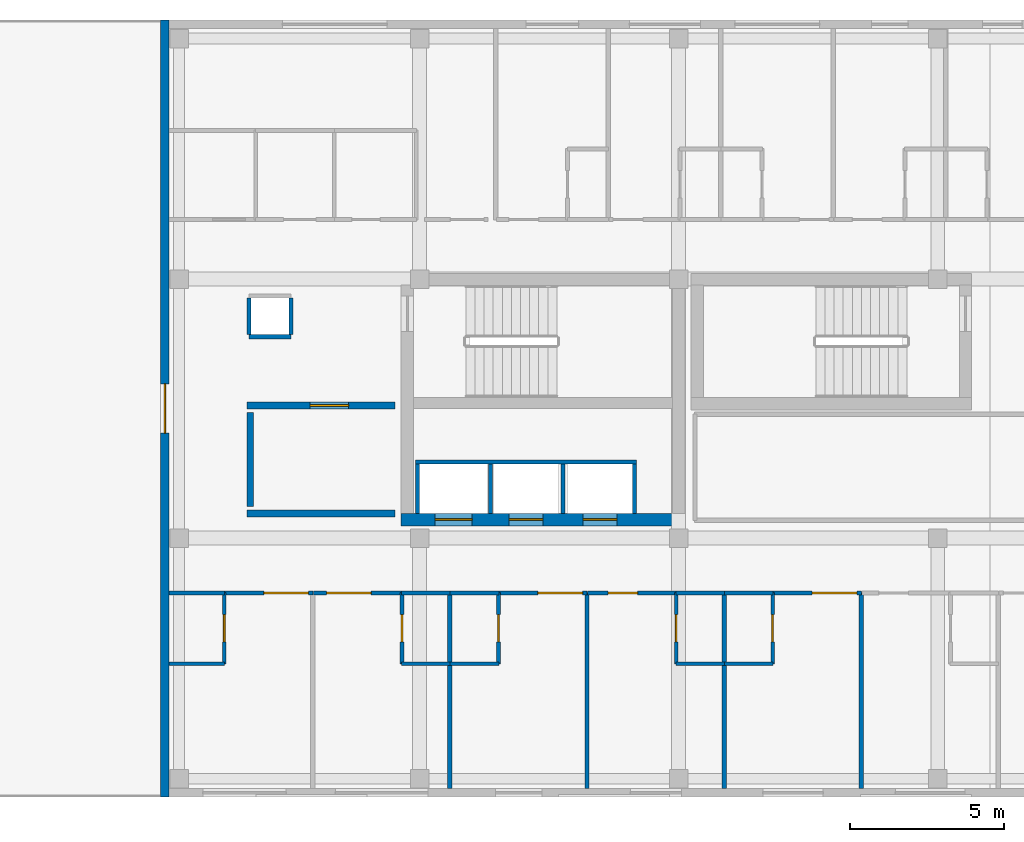
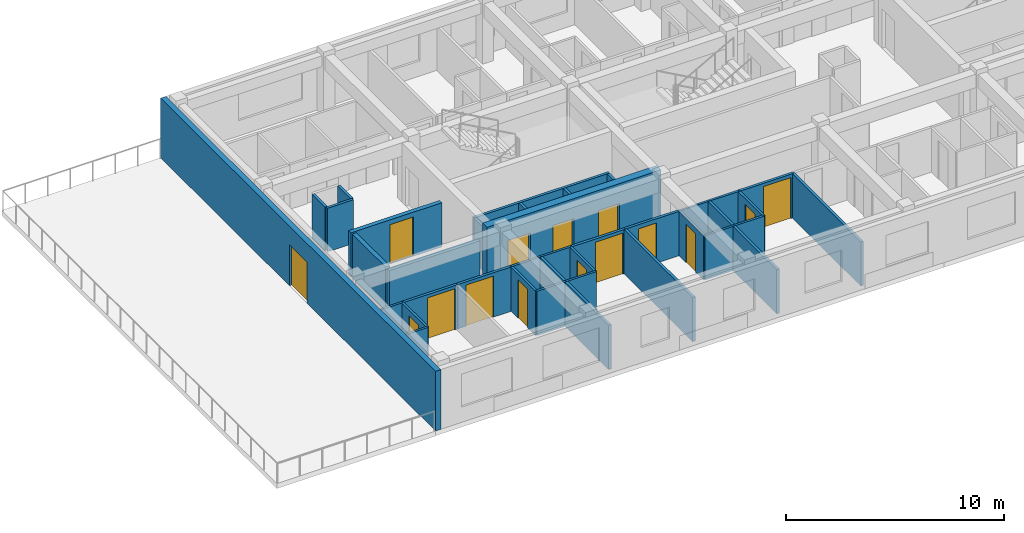
# One storey, part 2 of 10: 37 walls, 15 doors, 15 openings.
"""IFC4 building model written with IfcOpenShell, lengths in metres."""

from ifc_helpers import new_model, si_unit, direction, frame, frame_2d, origin, place, context, subcontext, project, spatial, rectangle, extrude, material, layer, layer_set, type_object, element, fill, save


model = new_model("IFC4")

# Units and contexts
model_context = context("Model", 3, precision=1e-05, world=origin(), true_north=direction((0.0, 1.0)))
body_context = subcontext(model_context, "Body", "Model", "MODEL_VIEW")
ifc_project = project(units=[si_unit("LENGTHUNIT", "METRE"), si_unit("AREAUNIT", "SQUARE_METRE"), si_unit("VOLUMEUNIT", "CUBIC_METRE"), si_unit("PLANEANGLEUNIT", "RADIAN"), si_unit("MASSUNIT", "GRAM", prefix="KILO")], contexts=[model_context])

# Site, building, storey
site_placement = place(None, origin())
site = spatial("IfcSite", under=ifc_project, at=site_placement, CompositionType="ELEMENT")
building_placement = place(site_placement, origin())
building = spatial("IfcBuilding", under=site, at=building_placement, Name="Zayran Congress Hotel", CompositionType="ELEMENT")
storey_placement = place(building_placement, frame((0.0, 0.0, 33.60009765625)))
storey = spatial("IfcBuildingStorey", under=building, at=storey_placement, Name="L08", CompositionType="ELEMENT", Elevation=33.60009765625)

# Wall, opening, door
ifc_material_1 = material(Name="Hajar Ma'ani limestone cavity wall and concrete C32/40", Category="masonry")
ifc_layer_1 = layer(ifc_material_1, 0.280029296875)
ifc_layer_set_1 = layer_set([ifc_layer_1], Name="Hajar Ma'ani limestone cavity wall and concrete C32/40")
wall_type_1 = type_object("IfcWallType", Name="WL-EX-280", PredefinedType="SOLIDWALL", material=ifc_layer_set_1)
wall_1_placement = place(storey_placement, frame((16.93994140625, 8.800048828125, 0.0), z_axis=(0.0, 0.0, 1.0), x_axis=(0.0, 1.0, 0.0)))
wall_1 = element("IfcWall", 1, at=wall_1_placement, inside=storey, type_object=wall_type_1, Name="EW-V5-W-L08", PredefinedType="SOLIDWALL", context=body_context, shape_type="SweptSolid", body=[
    extrude(rectangle(XDim=25.199951171875, YDim=0.280029296875, at=frame_2d((12.60009765625, 0.0))), origin(), (0.0, 0.0, 1.0), 3.33984375),
])
opening_1_placement = place(wall_1_placement, frame((11.800048828125, 0.0, 0.0)))
opening_1 = element("IfcOpeningElement", 2, at=opening_1_placement, cuts=wall_1, Name="Opening DEX-04", PredefinedType="OPENING", context=body_context, shape_type="SweptSolid", body=[
    extrude(rectangle(XDim=1.60009765625, YDim=2.300048828125, at=frame_2d((0.800048828125, 1.14990234375))), frame((0.0, 0.14990234375, 0.0), z_axis=(0.0, -1.0, 0.0), x_axis=(1.0, 0.0, 0.0)), (0.0, 0.0, 1.0), 0.300048828125),
])
ifc_material_2 = material(Name="Anodised aluminium terrace door", Category="aluminium")
door_type_1 = type_object("IfcDoorType", Name="TP-DEX-04", OperationType="DOUBLE_DOOR_SINGLE_SWING", PredefinedType="DOOR", material=ifc_material_2)
door_1_placement = place(opening_1_placement, origin())
door_1 = element("IfcDoor", 3, at=door_1_placement, inside=storey, type_object=door_type_1, Name="L08 West Planted Roof Terrace Door", OperationType="DOUBLE_DOOR_SINGLE_SWING", OverallHeight=2.300048828125, OverallWidth=1.60009765625, PredefinedType="DOOR", context=body_context, shape_type="SweptSolid", body=[
    extrude(rectangle(XDim=1.60009765625, YDim=2.300048828125, at=frame_2d((0.800048828125, 1.14990234375))), frame((0.0, 0.02490234375, 0.0), z_axis=(0.0, -1.0, 0.0), x_axis=(1.0, 0.0, 0.0)), (0.0, 0.0, 1.0), 0.050048828125),
])
fill(opening_1, door_1)

# Wall, openings, doors
ifc_material_3 = material(Name="Concrete C40/50", Category="concrete")
ifc_layer_2 = layer(ifc_material_3, 0.39990234375)
ifc_layer_set_2 = layer_set([ifc_layer_2], Name="Concrete C40/50")
wall_type_2 = type_object("IfcWallType", Name="WL-SH-400", PredefinedType="SHEAR", material=ifc_layer_set_2)
wall_2_placement = place(storey_placement, frame((24.60009765625, 17.800048828125, 0.0), z_axis=(0.0, 0.0, 1.0), x_axis=(1.0, 0.0, 0.0)))
wall_2 = element("IfcWall", 4, at=wall_2_placement, inside=storey, type_object=wall_type_2, Name="CWALL-C-V5W-L08-S", PredefinedType="SHEAR", context=body_context, shape_type="SweptSolid", body=[
    extrude(rectangle(XDim=9.199951171875, YDim=0.39990234375, at=frame_2d((4.60009765625, 0.0))), origin(), (0.0, 0.0, 1.0), 3.31982421875),
])
opening_2_placement = place(wall_2_placement, frame((1.10009765625, 0.0, 0.0)))
opening_2 = element("IfcOpeningElement", 5, at=opening_2_placement, cuts=wall_2, Name="Opening LD-FL01", PredefinedType="OPENING", context=body_context, shape_type="SweptSolid", body=[
    extrude(rectangle(XDim=1.199951171875, YDim=2.199951171875, at=frame_2d((0.60009765625, 1.10009765625))), frame((0.0, 0.2099609375, 0.0), z_axis=(0.0, -1.0, 0.0), x_axis=(1.0, 0.0, 0.0)), (0.0, 0.0, 1.0), 0.419921875),
])
opening_3_placement = place(wall_2_placement, frame((3.5, 0.0, 0.0)))
opening_3 = element("IfcOpeningElement", 6, at=opening_3_placement, cuts=wall_2, Name="Opening LD-PL01", PredefinedType="OPENING", context=body_context, shape_type="SweptSolid", body=[
    extrude(rectangle(XDim=1.10009765625, YDim=2.199951171875, at=frame_2d((0.550048828125, 1.10009765625))), frame((0.0, 0.2099609375, 0.0), z_axis=(0.0, -1.0, 0.0), x_axis=(1.0, 0.0, 0.0)), (0.0, 0.0, 1.0), 0.419921875),
])
opening_4_placement = place(wall_2_placement, frame((5.89990234375, 0.0, 0.0)))
opening_4 = element("IfcOpeningElement", 7, at=opening_4_placement, cuts=wall_2, Name="Opening LD-PL02", PredefinedType="OPENING", context=body_context, shape_type="SweptSolid", body=[
    extrude(rectangle(XDim=1.10009765625, YDim=2.199951171875, at=frame_2d((0.550048828125, 1.10009765625))), frame((0.0, 0.2099609375, 0.0), z_axis=(0.0, -1.0, 0.0), x_axis=(1.0, 0.0, 0.0)), (0.0, 0.0, 1.0), 0.419921875),
])
ifc_material_4 = material(Name="Brushed stainless steel sliding lift landing door", Category="steel")
door_type_2 = type_object("IfcDoorType", Name="TP-DR-LD-01", OperationType="DOUBLE_DOOR_SLIDING", PredefinedType="DOOR", material=ifc_material_4)
door_2_placement = place(opening_3_placement, origin())
door_2 = element("IfcDoor", 8, at=door_2_placement, inside=storey, type_object=door_type_2, Name="Lift PL-01 Sliding Landing Door L08", OperationType="DOUBLE_DOOR_SLIDING", OverallHeight=2.199951171875, OverallWidth=1.10009765625, PredefinedType="DOOR", context=body_context, shape_type="SweptSolid", body=[
    extrude(rectangle(XDim=1.10009765625, YDim=2.199951171875, at=frame_2d((0.550048828125, 1.10009765625))), frame((0.0, 0.02490234375, 0.0), z_axis=(0.0, -1.0, 0.0), x_axis=(1.0, 0.0, 0.0)), (0.0, 0.0, 1.0), 0.050048828125),
])
fill(opening_3, door_2)
door_3_placement = place(opening_4_placement, origin())
door_3 = element("IfcDoor", 9, at=door_3_placement, inside=storey, type_object=door_type_2, Name="Lift PL-02 Sliding Landing Door L08", OperationType="DOUBLE_DOOR_SLIDING", OverallHeight=2.199951171875, OverallWidth=1.10009765625, PredefinedType="DOOR", context=body_context, shape_type="SweptSolid", body=[
    extrude(rectangle(XDim=1.10009765625, YDim=2.199951171875, at=frame_2d((0.550048828125, 1.10009765625))), frame((0.0, 0.02490234375, 0.0), z_axis=(0.0, -1.0, 0.0), x_axis=(1.0, 0.0, 0.0)), (0.0, 0.0, 1.0), 0.050048828125),
])
fill(opening_4, door_3)
ifc_material_5 = material(Name="Brushed stainless steel firefighting lift landing door", Category="steel")
door_type_3 = type_object("IfcDoorType", Name="TP-DR-LD-02", OperationType="DOUBLE_DOOR_SLIDING", PredefinedType="DOOR", material=ifc_material_5)
door_4_placement = place(opening_2_placement, origin())
door_4 = element("IfcDoor", 10, at=door_4_placement, inside=storey, type_object=door_type_3, Name="Lift FL-01 Sliding Landing Door L08", OperationType="DOUBLE_DOOR_SLIDING", OverallHeight=2.199951171875, OverallWidth=1.199951171875, PredefinedType="DOOR", context=body_context, shape_type="SweptSolid", body=[
    extrude(rectangle(XDim=1.199951171875, YDim=2.199951171875, at=frame_2d((0.60009765625, 1.10009765625))), frame((0.0, 0.02490234375, 0.0), z_axis=(0.0, -1.0, 0.0), x_axis=(1.0, 0.0, 0.0)), (0.0, 0.0, 1.0), 0.050048828125),
])
fill(opening_2, door_4)

# Wall
ifc_material_6 = material(Name="Concrete C32/40 fire wall", Category="concrete")
ifc_layer_3 = layer(ifc_material_6, 0.219970703125)
ifc_layer_set_3 = layer_set([ifc_layer_3], Name="Concrete C32/40 fire wall")
wall_type_3 = type_object("IfcWallType", Name="WL-FF-220", PredefinedType="SOLIDWALL", material=ifc_layer_set_3)
wall_3_placement = place(storey_placement, frame((19.60009765625, 18.0, 0.0), z_axis=(0.0, 0.0, 1.0), x_axis=(1.0, 0.0, 0.0)))
element("IfcWall", 11, at=wall_3_placement, inside=storey, type_object=wall_type_3, Name="FFWL-C-V5W-L08-S", PredefinedType="SOLIDWALL", context=body_context, shape_type="SweptSolid", body=[
    extrude(rectangle(XDim=4.7998046875, YDim=0.219970703125, at=frame_2d((2.39990234375, 0.0))), origin(), (0.0, 0.0, 1.0), 2.469970703125),
])

# Wall, opening, door
wall_4_placement = place(storey_placement, frame((19.60009765625, 21.5, 0.0), z_axis=(0.0, 0.0, 1.0), x_axis=(1.0, 0.0, 0.0)))
wall_4 = element("IfcWall", 12, at=wall_4_placement, inside=storey, type_object=wall_type_3, Name="FFWL-C-V5W-L08-N", PredefinedType="SOLIDWALL", context=body_context, shape_type="SweptSolid", body=[
    extrude(rectangle(XDim=4.7998046875, YDim=0.219970703125, at=frame_2d((2.39990234375, 0.0))), origin(), (0.0, 0.0, 1.0), 2.469970703125),
])
opening_5_placement = place(wall_4_placement, frame((2.050048828125, 0.0, 0.0)))
opening_5 = element("IfcOpeningElement", 13, at=opening_5_placement, cuts=wall_4, Name="Opening DR-FF-60", PredefinedType="OPENING", context=body_context, shape_type="SweptSolid", body=[
    extrude(rectangle(XDim=1.25, YDim=2.199951171875, at=frame_2d((0.625, 1.10009765625))), frame((0.0, 0.119873046875, 0.0), z_axis=(0.0, -1.0, 0.0), x_axis=(1.0, 0.0, 0.0)), (0.0, 0.0, 1.0), 0.239990234375),
])
ifc_material_7 = material(Name="Painted steel smoke-seal fire door", Category="steel")
door_type_4 = type_object("IfcDoorType", Name="TP-DR-FF-60", OperationType="NOTDEFINED", PredefinedType="DOOR", material=ifc_material_7)
door_5_placement = place(opening_5_placement, origin())
door_5 = element("IfcDoor", 14, at=door_5_placement, inside=storey, type_object=door_type_4, Name="Firefighting Lift Lobby Door C-V5W L08", OperationType="SINGLE_SWING_RIGHT", OverallHeight=2.199951171875, OverallWidth=1.25, PredefinedType="DOOR", context=body_context, shape_type="SweptSolid", body=[
    extrude(rectangle(XDim=1.25, YDim=2.199951171875, at=frame_2d((0.625, 1.10009765625))), frame((0.0, 0.02490234375, 0.0), z_axis=(0.0, -1.0, 0.0), x_axis=(1.0, 0.0, 0.0)), (0.0, 0.0, 1.0), 0.050048828125),
])
fill(opening_5, door_5)

# Walls
wall_5_placement = place(storey_placement, frame((19.7099609375, 18.219970703125, 0.0), z_axis=(0.0, 0.0, 1.0), x_axis=(0.0, 1.0, 0.0)))
element("IfcWall", 15, at=wall_5_placement, inside=storey, type_object=wall_type_3, Name="FFWL-C-V5W-L08-SD", PredefinedType="SOLIDWALL", context=body_context, shape_type="SweptSolid", body=[
    extrude(rectangle(XDim=3.06005859375, YDim=0.219970703125, at=frame_2d((1.530029296875, 0.0))), origin(), (0.0, 0.0, 1.0), 2.469970703125),
])
ifc_material_8 = material(Name="Hospitality guestroom acoustic partition", Category="gypsum")
ifc_layer_4 = layer(ifc_material_8, 0.139892578125)
ifc_layer_set_4 = layer_set([ifc_layer_4], Name="Hospitality guestroom acoustic partition")
wall_type_4 = type_object("IfcWallType", Name="WL-PT-140", PredefinedType="PARTITIONING", material=ifc_layer_set_4)
for number, where, z_axis, x_axis, name in (
    (16, (25.1298828125, 18.0, 0.0), (0.0, 0.0, 1.0), (0.0, 1.0, 0.0), "LSHW-C-V5W-L08-W"),
    (17, (27.5, 18.0, 0.0), (0.0, 0.0, 1.0), (0.0, 1.0, 0.0), "LSHW-C-V5W-L08-DIV1"),
    (18, (29.85009765625, 18.0, 0.0), (0.0, 0.0, 1.0), (0.0, 1.0, 0.0), "LSHW-C-V5W-L08-DIV2"),
    (19, (32.169921875, 18.0, 0.0), (0.0, 0.0, 1.0), (0.0, 1.0, 0.0), "LSHW-C-V5W-L08-E"),
):
    element("IfcWall", number, at=place(storey_placement, frame(where, z_axis=z_axis, x_axis=x_axis)), inside=storey, type_object=wall_type_4, Name=name, PredefinedType="PARTITIONING", context=body_context, shape_type="SweptSolid", body=[
        extrude(rectangle(XDim=1.60009765625, YDim=0.139892578125, at=frame_2d((0.800048828125, 0.0))), origin(), (0.0, 0.0, 1.0), 2.469970703125),
    ])
wall_6_placement = place(storey_placement, frame((25.06005859375, 19.669921875, 0.0), z_axis=(0.0, 0.0, 1.0), x_axis=(1.0, 0.0, 0.0)))
element("IfcWall", 20, at=wall_6_placement, inside=storey, type_object=wall_type_4, Name="LSHW-C-V5W-L08-N", PredefinedType="PARTITIONING", context=body_context, shape_type="SweptSolid", body=[
    extrude(rectangle(XDim=7.179931640625, YDim=0.139892578125, at=frame_2d((3.58984375, 0.0))), origin(), (0.0, 0.0, 1.0), 2.469970703125),
])

# Wall, opening, door
wall_7_placement = place(storey_placement, frame((18.864013671875, 15.419921875, 0.0), z_axis=(0.0, 0.0, 1.0), x_axis=(1.0, 0.0, 0.0)))
wall_7 = element("IfcWall", 21, at=wall_7_placement, inside=storey, type_object=wall_type_4, Name="IW-L08-0756", PredefinedType="PARTITIONING", context=body_context, shape_type="SweptSolid", body=[
    extrude(rectangle(XDim=2.8720703125, YDim=0.139892578125, at=frame_2d((1.43603515625, 0.0))), origin(), (0.0, 0.0, 1.0), 2.47998046875),
])
opening_6_placement = place(wall_7_placement, frame((1.281982421875, 0.0, 0.0)))
opening_6 = element("IfcOpeningElement", 22, at=opening_6_placement, cuts=wall_7, Name="Opening DR-ST-01", PredefinedType="OPENING", context=body_context, shape_type="SweptSolid", body=[
    extrude(rectangle(XDim=1.449951171875, YDim=2.300048828125, at=frame_2d((0.72509765625, 1.14990234375))), frame((0.0, 0.079833984375, 0.0), z_axis=(0.0, -1.0, 0.0), x_axis=(1.0, 0.0, 0.0)), (0.0, 0.0, 1.0), 0.159912109375),
])
ifc_material_9 = material(Name="Double walnut veneer suite entry door", Category="wood")
door_type_5 = type_object("IfcDoorType", Name="TP-DR-ST-01", OperationType="DOUBLE_DOOR_SINGLE_SWING", PredefinedType="DOOR", material=ifc_material_9)
door_6_placement = place(opening_6_placement, origin())
door_6 = element("IfcDoor", 23, at=door_6_placement, inside=storey, type_object=door_type_5, Name="Executive Suite L08-01 Door", OperationType="DOUBLE_DOOR_SINGLE_SWING", OverallHeight=2.300048828125, OverallWidth=1.449951171875, PredefinedType="DOOR", context=body_context, shape_type="SweptSolid", body=[
    extrude(rectangle(XDim=1.449951171875, YDim=2.300048828125, at=frame_2d((0.72509765625, 1.14990234375))), frame((0.0, 0.02490234375, 0.0), z_axis=(0.0, -1.0, 0.0), x_axis=(1.0, 0.0, 0.0)), (0.0, 0.0, 1.0), 0.050048828125),
])
fill(opening_6, door_6)

wall_8_placement = place(storey_placement, frame((21.756103515625, 15.419921875, 0.0), z_axis=(0.0, 0.0, 1.0), x_axis=(1.0, 0.0, 0.0)))
wall_8 = element("IfcWall", 24, at=wall_8_placement, inside=storey, type_object=wall_type_4, Name="IW-L08-0757", PredefinedType="PARTITIONING", context=body_context, shape_type="SweptSolid", body=[
    extrude(rectangle(XDim=2.871826171875, YDim=0.139892578125, at=frame_2d((1.43603515625, 0.0))), origin(), (0.0, 0.0, 1.0), 2.47998046875),
])
opening_7_placement = place(wall_8_placement, frame((0.425048828125, 0.0, 0.0)))
opening_7 = element("IfcOpeningElement", 25, at=opening_7_placement, cuts=wall_8, Name="Opening DR-ST-01", PredefinedType="OPENING", context=body_context, shape_type="SweptSolid", body=[
    extrude(rectangle(XDim=1.449951171875, YDim=2.300048828125, at=frame_2d((0.72509765625, 1.14990234375))), frame((0.0, 0.079833984375, 0.0), z_axis=(0.0, -1.0, 0.0), x_axis=(1.0, 0.0, 0.0)), (0.0, 0.0, 1.0), 0.159912109375),
])
door_7_placement = place(opening_7_placement, origin())
door_7 = element("IfcDoor", 26, at=door_7_placement, inside=storey, type_object=door_type_5, Name="Executive Suite L08-02 Door", OperationType="DOUBLE_DOOR_SINGLE_SWING", OverallHeight=2.300048828125, OverallWidth=1.449951171875, PredefinedType="DOOR", context=body_context, shape_type="SweptSolid", body=[
    extrude(rectangle(XDim=1.449951171875, YDim=2.300048828125, at=frame_2d((0.72509765625, 1.14990234375))), frame((0.0, 0.02490234375, 0.0), z_axis=(0.0, -1.0, 0.0), x_axis=(1.0, 0.0, 0.0)), (0.0, 0.0, 1.0), 0.050048828125),
])
fill(opening_7, door_7)

wall_9_placement = place(storey_placement, frame((27.756103515625, 15.419921875, 0.0), z_axis=(0.0, 0.0, 1.0), x_axis=(1.0, 0.0, 0.0)))
wall_9 = element("IfcWall", 27, at=wall_9_placement, inside=storey, type_object=wall_type_4, Name="IW-L08-0758", PredefinedType="PARTITIONING", context=body_context, shape_type="SweptSolid", body=[
    extrude(rectangle(XDim=2.871826171875, YDim=0.139892578125, at=frame_2d((1.43603515625, 0.0))), origin(), (0.0, 0.0, 1.0), 2.47998046875),
])
opening_8_placement = place(wall_9_placement, frame((1.281982421875, 0.0, 0.0)))
opening_8 = element("IfcOpeningElement", 28, at=opening_8_placement, cuts=wall_9, Name="Opening DR-ST-01", PredefinedType="OPENING", context=body_context, shape_type="SweptSolid", body=[
    extrude(rectangle(XDim=1.449951171875, YDim=2.300048828125, at=frame_2d((0.72509765625, 1.14990234375))), frame((0.0, 0.079833984375, 0.0), z_axis=(0.0, -1.0, 0.0), x_axis=(1.0, 0.0, 0.0)), (0.0, 0.0, 1.0), 0.159912109375),
])
door_8_placement = place(opening_8_placement, origin())
door_8 = element("IfcDoor", 29, at=door_8_placement, inside=storey, type_object=door_type_5, Name="Executive Suite L08-03 Door", OperationType="DOUBLE_DOOR_SINGLE_SWING", OverallHeight=2.300048828125, OverallWidth=1.449951171875, PredefinedType="DOOR", context=body_context, shape_type="SweptSolid", body=[
    extrude(rectangle(XDim=1.449951171875, YDim=2.300048828125, at=frame_2d((0.72509765625, 1.14990234375))), frame((0.0, 0.02490234375, 0.0), z_axis=(0.0, -1.0, 0.0), x_axis=(1.0, 0.0, 0.0)), (0.0, 0.0, 1.0), 0.050048828125),
])
fill(opening_8, door_8)

wall_10_placement = place(storey_placement, frame((30.64794921875, 15.419921875, 0.0), z_axis=(0.0, 0.0, 1.0), x_axis=(1.0, 0.0, 0.0)))
wall_10 = element("IfcWall", 30, at=wall_10_placement, inside=storey, type_object=wall_type_4, Name="IW-L08-0759", PredefinedType="PARTITIONING", context=body_context, shape_type="SweptSolid", body=[
    extrude(rectangle(XDim=2.8720703125, YDim=0.139892578125, at=frame_2d((1.43603515625, 0.0))), origin(), (0.0, 0.0, 1.0), 2.47998046875),
])
opening_9_placement = place(wall_10_placement, frame((0.6650390625, 0.0, 0.0)))
opening_9 = element("IfcOpeningElement", 31, at=opening_9_placement, cuts=wall_10, Name="Opening DR-GR-03", PredefinedType="OPENING", context=body_context, shape_type="SweptSolid", body=[
    extrude(rectangle(XDim=0.9599609375, YDim=2.25, at=frame_2d((0.47998046875, 1.125))), frame((0.0, 0.079833984375, 0.0), z_axis=(0.0, -1.0, 0.0), x_axis=(1.0, 0.0, 0.0)), (0.0, 0.0, 1.0), 0.159912109375),
])
ifc_material_10 = material(Name="Executive walnut veneer entry door", Category="wood")
door_type_6 = type_object("IfcDoorType", Name="TP-DR-GR-03", OperationType="NOTDEFINED", PredefinedType="DOOR", material=ifc_material_10)
door_9_placement = place(opening_9_placement, origin())
door_9 = element("IfcDoor", 32, at=door_9_placement, inside=storey, type_object=door_type_6, Name="Guest Room L08-04 Door", OperationType="SINGLE_SWING_RIGHT", OverallHeight=2.25, OverallWidth=0.9599609375, PredefinedType="DOOR", context=body_context, shape_type="SweptSolid", body=[
    extrude(rectangle(XDim=0.9599609375, YDim=2.25, at=frame_2d((0.47998046875, 1.125))), frame((0.0, 0.02490234375, 0.0), z_axis=(0.0, -1.0, 0.0), x_axis=(1.0, 0.0, 0.0)), (0.0, 0.0, 1.0), 0.050048828125),
])
fill(opening_9, door_9)

wall_11_placement = place(storey_placement, frame((36.64892578125, 15.419921875, 0.0), z_axis=(0.0, 0.0, 1.0), x_axis=(1.0, 0.0, 0.0)))
wall_11 = element("IfcWall", 33, at=wall_11_placement, inside=storey, type_object=wall_type_4, Name="IW-L08-0760", PredefinedType="PARTITIONING", context=body_context, shape_type="SweptSolid", body=[
    extrude(rectangle(XDim=2.8720703125, YDim=0.139892578125, at=frame_2d((1.43603515625, 0.0))), origin(), (0.0, 0.0, 1.0), 2.47998046875),
])
opening_10_placement = place(wall_11_placement, frame((1.281982421875, 0.0, 0.0)))
opening_10 = element("IfcOpeningElement", 34, at=opening_10_placement, cuts=wall_11, Name="Opening DR-ST-01", PredefinedType="OPENING", context=body_context, shape_type="SweptSolid", body=[
    extrude(rectangle(XDim=1.449951171875, YDim=2.300048828125, at=frame_2d((0.72509765625, 1.14990234375))), frame((0.0, 0.079833984375, 0.0), z_axis=(0.0, -1.0, 0.0), x_axis=(1.0, 0.0, 0.0)), (0.0, 0.0, 1.0), 0.159912109375),
])
door_10_placement = place(opening_10_placement, origin())
door_10 = element("IfcDoor", 35, at=door_10_placement, inside=storey, type_object=door_type_5, Name="Junior Suite L08-05 Door", OperationType="DOUBLE_DOOR_SINGLE_SWING", OverallHeight=2.300048828125, OverallWidth=1.449951171875, PredefinedType="DOOR", context=body_context, shape_type="SweptSolid", body=[
    extrude(rectangle(XDim=1.449951171875, YDim=2.300048828125, at=frame_2d((0.72509765625, 1.14990234375))), frame((0.0, 0.02490234375, 0.0), z_axis=(0.0, -1.0, 0.0), x_axis=(1.0, 0.0, 0.0)), (0.0, 0.0, 1.0), 0.050048828125),
])
fill(opening_10, door_10)

# Walls
for number, where, z_axis, x_axis, name in (
    (36, (26.181884765625, 9.080078125, 0.0), (0.0, 0.0, 1.0), (0.0, 1.0, 0.0), "IW-L08-2092"),
    (37, (30.6279296875, 9.080078125, 0.0), (0.0, 0.0, 1.0), (0.0, 1.0, 0.0), "IW-L08-2093"),
    (38, (35.074951171875, 9.080078125, 0.0), (0.0, 0.0, 1.0), (0.0, 1.0, 0.0), "IW-L08-2094"),
    (39, (39.52099609375, 9.080078125, 0.0), (0.0, 0.0, 1.0), (0.0, 1.0, 0.0), "IW-L08-2095"),
):
    element("IfcWall", number, at=place(storey_placement, frame(where, z_axis=z_axis, x_axis=x_axis)), inside=storey, type_object=wall_type_4, Name=name, PredefinedType="PARTITIONING", context=body_context, shape_type="SweptSolid", body=[
        extrude(rectangle(XDim=6.349853515625, YDim=0.139892578125, at=frame_2d((3.1748046875, 0.0))), origin(), (0.0, 0.0, 1.0), 2.47998046875),
    ])
wall_12_placement = place(storey_placement, frame((19.669921875, 23.72998046875, 0.0), z_axis=(0.0, 0.0, 1.0), x_axis=(1.0, 0.0, 0.0)))
element("IfcWall", 40, at=wall_12_placement, inside=storey, type_object=wall_type_4, Name="RSWL-V5-L08-047-S", PredefinedType="PARTITIONING", context=body_context, shape_type="SweptSolid", body=[
    extrude(rectangle(XDim=1.360107421875, YDim=0.139892578125, at=frame_2d((0.68017578125, 0.0))), origin(), (0.0, 0.0, 1.0), 2.43994140625),
])
for number, where, z_axis, x_axis, name in (
    (41, (19.669921875, 24.97998046875, 0.0), (0.0, 0.0, 1.0), (0.0, -1.0, 0.0), "RSWL-V5-L08-047-W"),
    (42, (21.030029296875, 23.800048828125, 0.0), (0.0, 0.0, 1.0), (0.0, 1.0, 0.0), "RSWL-V5-L08-047-E"),
):
    element("IfcWall", number, at=place(storey_placement, frame(where, z_axis=z_axis, x_axis=x_axis)), inside=storey, type_object=wall_type_4, Name=name, PredefinedType="PARTITIONING", context=body_context, shape_type="SweptSolid", body=[
        extrude(rectangle(XDim=1.179931640625, YDim=0.139892578125, at=frame_2d((0.58984375, 0.0))), origin(), (0.0, 0.0, 1.0), 2.43994140625),
    ])

# Wall, opening, door
ifc_material_11 = material(Name="Moisture-resistant bathroom partition", Category="gypsum")
ifc_layer_5 = layer(ifc_material_11, 0.1201171875)
ifc_layer_set_5 = layer_set([ifc_layer_5], Name="Moisture-resistant bathroom partition")
wall_type_5 = type_object("IfcWallType", Name="WL-PT-120", PredefinedType="PARTITIONING", material=ifc_layer_set_5)
wall_13_placement = place(storey_placement, frame((18.864013671875, 13.1201171875, 0.0), z_axis=(0.0, 0.0, 1.0), x_axis=(0.0, 1.0, 0.0)))
wall_13 = element("IfcWall", 43, at=wall_13_placement, inside=storey, type_object=wall_type_5, Name="IW-L08-0245", PredefinedType="PARTITIONING", context=body_context, shape_type="SweptSolid", body=[
    extrude(rectangle(XDim=2.309814453125, YDim=0.1201171875, at=frame_2d((1.15478515625, 0.0))), origin(), (0.0, 0.0, 1.0), 2.47998046875),
])
opening_11_placement = place(wall_13_placement, frame((0.715087890625, 0.0, 0.0)))
opening_11 = element("IfcOpeningElement", 44, at=opening_11_placement, cuts=wall_13, Name="Opening DR-BT-01", PredefinedType="OPENING", context=body_context, shape_type="SweptSolid", body=[
    extrude(rectangle(XDim=0.8798828125, YDim=2.14990234375, at=frame_2d((0.43994140625, 1.074951171875))), frame((0.0, 0.070068359375, 0.0), z_axis=(0.0, -1.0, 0.0), x_axis=(1.0, 0.0, 0.0)), (0.0, 0.0, 1.0), 0.14013671875),
])
ifc_material_12 = material(Name="Moisture-resistant oak en-suite door", Category="wood")
door_type_7 = type_object("IfcDoorType", Name="TP-DR-BT-01", OperationType="NOTDEFINED", PredefinedType="DOOR", material=ifc_material_12)
door_11_placement = place(opening_11_placement, origin())
door_11 = element("IfcDoor", 45, at=door_11_placement, inside=storey, type_object=door_type_7, Name="En-Suite Bathroom L08-01 Door", OperationType="SINGLE_SWING_RIGHT", OverallHeight=2.14990234375, OverallWidth=0.8798828125, PredefinedType="DOOR", context=body_context, shape_type="SweptSolid", body=[
    extrude(rectangle(XDim=0.8798828125, YDim=2.14990234375, at=frame_2d((0.43994140625, 1.074951171875))), frame((0.0, 0.02490234375, 0.0), z_axis=(0.0, -1.0, 0.0), x_axis=(1.0, 0.0, 0.0)), (0.0, 0.0, 1.0), 0.050048828125),
])
fill(opening_11, door_11)

wall_14_placement = place(storey_placement, frame((24.6279296875, 13.1201171875, 0.0), z_axis=(0.0, 0.0, 1.0), x_axis=(0.0, 1.0, 0.0)))
wall_14 = element("IfcWall", 46, at=wall_14_placement, inside=storey, type_object=wall_type_5, Name="IW-L08-0246", PredefinedType="PARTITIONING", context=body_context, shape_type="SweptSolid", body=[
    extrude(rectangle(XDim=2.309814453125, YDim=0.1201171875, at=frame_2d((1.15478515625, 0.0))), origin(), (0.0, 0.0, 1.0), 2.47998046875),
])
opening_12_placement = place(wall_14_placement, frame((0.715087890625, 0.0, 0.0)))
opening_12 = element("IfcOpeningElement", 47, at=opening_12_placement, cuts=wall_14, Name="Opening DR-BT-01", PredefinedType="OPENING", context=body_context, shape_type="SweptSolid", body=[
    extrude(rectangle(XDim=0.8798828125, YDim=2.14990234375, at=frame_2d((0.43994140625, 1.074951171875))), frame((0.0, 0.070068359375, 0.0), z_axis=(0.0, -1.0, 0.0), x_axis=(1.0, 0.0, 0.0)), (0.0, 0.0, 1.0), 0.14013671875),
])
door_12_placement = place(opening_12_placement, origin())
door_12 = element("IfcDoor", 48, at=door_12_placement, inside=storey, type_object=door_type_7, Name="En-Suite Bathroom L08-02 Door", OperationType="SINGLE_SWING_LEFT", OverallHeight=2.14990234375, OverallWidth=0.8798828125, PredefinedType="DOOR", context=body_context, shape_type="SweptSolid", body=[
    extrude(rectangle(XDim=0.8798828125, YDim=2.14990234375, at=frame_2d((0.43994140625, 1.074951171875))), frame((0.0, 0.02490234375, 0.0), z_axis=(0.0, -1.0, 0.0), x_axis=(1.0, 0.0, 0.0)), (0.0, 0.0, 1.0), 0.050048828125),
])
fill(opening_12, door_12)

wall_15_placement = place(storey_placement, frame((27.756103515625, 13.1201171875, 0.0), z_axis=(0.0, 0.0, 1.0), x_axis=(0.0, 1.0, 0.0)))
wall_15 = element("IfcWall", 49, at=wall_15_placement, inside=storey, type_object=wall_type_5, Name="IW-L08-0247", PredefinedType="PARTITIONING", context=body_context, shape_type="SweptSolid", body=[
    extrude(rectangle(XDim=2.309814453125, YDim=0.1201171875, at=frame_2d((1.15478515625, 0.0))), origin(), (0.0, 0.0, 1.0), 2.47998046875),
])
opening_13_placement = place(wall_15_placement, frame((0.715087890625, 0.0, 0.0)))
opening_13 = element("IfcOpeningElement", 50, at=opening_13_placement, cuts=wall_15, Name="Opening DR-BT-01", PredefinedType="OPENING", context=body_context, shape_type="SweptSolid", body=[
    extrude(rectangle(XDim=0.8798828125, YDim=2.14990234375, at=frame_2d((0.43994140625, 1.074951171875))), frame((0.0, 0.070068359375, 0.0), z_axis=(0.0, -1.0, 0.0), x_axis=(1.0, 0.0, 0.0)), (0.0, 0.0, 1.0), 0.14013671875),
])
door_13_placement = place(opening_13_placement, origin())
door_13 = element("IfcDoor", 51, at=door_13_placement, inside=storey, type_object=door_type_7, Name="En-Suite Bathroom L08-03 Door", OperationType="SINGLE_SWING_RIGHT", OverallHeight=2.14990234375, OverallWidth=0.8798828125, PredefinedType="DOOR", context=body_context, shape_type="SweptSolid", body=[
    extrude(rectangle(XDim=0.8798828125, YDim=2.14990234375, at=frame_2d((0.43994140625, 1.074951171875))), frame((0.0, 0.02490234375, 0.0), z_axis=(0.0, -1.0, 0.0), x_axis=(1.0, 0.0, 0.0)), (0.0, 0.0, 1.0), 0.050048828125),
])
fill(opening_13, door_13)

wall_16_placement = place(storey_placement, frame((33.52001953125, 13.1201171875, 0.0), z_axis=(0.0, 0.0, 1.0), x_axis=(0.0, 1.0, 0.0)))
wall_16 = element("IfcWall", 52, at=wall_16_placement, inside=storey, type_object=wall_type_5, Name="IW-L08-0248", PredefinedType="PARTITIONING", context=body_context, shape_type="SweptSolid", body=[
    extrude(rectangle(XDim=2.309814453125, YDim=0.1201171875, at=frame_2d((1.15478515625, 0.0))), origin(), (0.0, 0.0, 1.0), 2.47998046875),
])
opening_14_placement = place(wall_16_placement, frame((0.715087890625, 0.0, 0.0)))
opening_14 = element("IfcOpeningElement", 53, at=opening_14_placement, cuts=wall_16, Name="Opening DR-BT-01", PredefinedType="OPENING", context=body_context, shape_type="SweptSolid", body=[
    extrude(rectangle(XDim=0.8798828125, YDim=2.14990234375, at=frame_2d((0.43994140625, 1.074951171875))), frame((0.0, 0.070068359375, 0.0), z_axis=(0.0, -1.0, 0.0), x_axis=(1.0, 0.0, 0.0)), (0.0, 0.0, 1.0), 0.14013671875),
])
door_14_placement = place(opening_14_placement, origin())
door_14 = element("IfcDoor", 54, at=door_14_placement, inside=storey, type_object=door_type_7, Name="En-Suite Bathroom L08-04 Door", OperationType="SINGLE_SWING_LEFT", OverallHeight=2.14990234375, OverallWidth=0.8798828125, PredefinedType="DOOR", context=body_context, shape_type="SweptSolid", body=[
    extrude(rectangle(XDim=0.8798828125, YDim=2.14990234375, at=frame_2d((0.43994140625, 1.074951171875))), frame((0.0, 0.02490234375, 0.0), z_axis=(0.0, -1.0, 0.0), x_axis=(1.0, 0.0, 0.0)), (0.0, 0.0, 1.0), 0.050048828125),
])
fill(opening_14, door_14)

wall_17_placement = place(storey_placement, frame((36.64892578125, 13.1201171875, 0.0), z_axis=(0.0, 0.0, 1.0), x_axis=(0.0, 1.0, 0.0)))
wall_17 = element("IfcWall", 55, at=wall_17_placement, inside=storey, type_object=wall_type_5, Name="IW-L08-0249", PredefinedType="PARTITIONING", context=body_context, shape_type="SweptSolid", body=[
    extrude(rectangle(XDim=2.309814453125, YDim=0.1201171875, at=frame_2d((1.15478515625, 0.0))), origin(), (0.0, 0.0, 1.0), 2.47998046875),
])
opening_15_placement = place(wall_17_placement, frame((0.715087890625, 0.0, 0.0)))
opening_15 = element("IfcOpeningElement", 56, at=opening_15_placement, cuts=wall_17, Name="Opening DR-BT-01", PredefinedType="OPENING", context=body_context, shape_type="SweptSolid", body=[
    extrude(rectangle(XDim=0.8798828125, YDim=2.14990234375, at=frame_2d((0.43994140625, 1.074951171875))), frame((0.0, 0.070068359375, 0.0), z_axis=(0.0, -1.0, 0.0), x_axis=(1.0, 0.0, 0.0)), (0.0, 0.0, 1.0), 0.14013671875),
])
door_15_placement = place(opening_15_placement, origin())
door_15 = element("IfcDoor", 57, at=door_15_placement, inside=storey, type_object=door_type_7, Name="En-Suite Bathroom L08-05 Door", OperationType="SINGLE_SWING_RIGHT", OverallHeight=2.14990234375, OverallWidth=0.8798828125, PredefinedType="DOOR", context=body_context, shape_type="SweptSolid", body=[
    extrude(rectangle(XDim=0.8798828125, YDim=2.14990234375, at=frame_2d((0.43994140625, 1.074951171875))), frame((0.0, 0.02490234375, 0.0), z_axis=(0.0, -1.0, 0.0), x_axis=(1.0, 0.0, 0.0)), (0.0, 0.0, 1.0), 0.050048828125),
])
fill(opening_15, door_15)

# Walls
for number, where, z_axis, x_axis, name in (
    (58, (17.080078125, 13.1298828125, 0.0), (0.0, 0.0, 1.0), (1.0, 0.0, 0.0), "IW-L08-1357"),
    (59, (17.080078125, 15.419921875, 0.0), (0.0, 0.0, 1.0), (1.0, 0.0, 0.0), "IW-L08-1358"),
):
    element("IfcWall", number, at=place(storey_placement, frame(where, z_axis=z_axis, x_axis=x_axis)), inside=storey, type_object=wall_type_5, Name=name, PredefinedType="PARTITIONING", context=body_context, shape_type="SweptSolid", body=[
        extrude(rectangle(XDim=1.7939453125, YDim=0.1201171875, at=frame_2d((0.89697265625, 0.0))), origin(), (0.0, 0.0, 1.0), 2.47998046875),
    ])
for number, where, z_axis, x_axis, name in (
    (60, (24.617919921875, 13.1298828125, 0.0), (0.0, 0.0, 1.0), (1.0, 0.0, 0.0), "IW-L08-1359"),
    (61, (24.617919921875, 15.419921875, 0.0), (0.0, 0.0, 1.0), (1.0, 0.0, 0.0), "IW-L08-1360"),
):
    element("IfcWall", number, at=place(storey_placement, frame(where, z_axis=z_axis, x_axis=x_axis)), inside=storey, type_object=wall_type_5, Name=name, PredefinedType="PARTITIONING", context=body_context, shape_type="SweptSolid", body=[
        extrude(rectangle(XDim=1.573974609375, YDim=0.1201171875, at=frame_2d((0.787109375, 0.0))), origin(), (0.0, 0.0, 1.0), 2.47998046875),
    ])
for number, where, z_axis, x_axis, name in (
    (62, (26.19189453125, 13.1298828125, 0.0), (0.0, 0.0, 1.0), (1.0, 0.0, 0.0), "IW-L08-1361"),
    (63, (26.19189453125, 15.419921875, 0.0), (0.0, 0.0, 1.0), (1.0, 0.0, 0.0), "IW-L08-1362"),
):
    element("IfcWall", number, at=place(storey_placement, frame(where, z_axis=z_axis, x_axis=x_axis)), inside=storey, type_object=wall_type_5, Name=name, PredefinedType="PARTITIONING", context=body_context, shape_type="SweptSolid", body=[
        extrude(rectangle(XDim=1.57421875, YDim=0.1201171875, at=frame_2d((0.787109375, 0.0))), origin(), (0.0, 0.0, 1.0), 2.47998046875),
    ])
wall_18_placement = place(storey_placement, frame((33.510009765625, 13.1298828125, 0.0), z_axis=(0.0, 0.0, 1.0), x_axis=(1.0, 0.0, 0.0)))
element("IfcWall", 64, at=wall_18_placement, inside=storey, type_object=wall_type_5, Name="IW-L08-1363", PredefinedType="PARTITIONING", context=body_context, shape_type="SweptSolid", body=[
    extrude(rectangle(XDim=1.574951171875, YDim=0.1201171875, at=frame_2d((0.78759765625, 0.0))), origin(), (0.0, 0.0, 1.0), 2.47998046875),
])
wall_19_placement = place(storey_placement, frame((33.52001953125, 15.419921875, 0.0), z_axis=(0.0, 0.0, 1.0), x_axis=(1.0, 0.0, 0.0)))
element("IfcWall", 65, at=wall_19_placement, inside=storey, type_object=wall_type_5, Name="IW-L08-1364", PredefinedType="PARTITIONING", context=body_context, shape_type="SweptSolid", body=[
    extrude(rectangle(XDim=1.56494140625, YDim=0.1201171875, at=frame_2d((0.782470703125, 0.0))), origin(), (0.0, 0.0, 1.0), 2.47998046875),
])
for number, where, z_axis, x_axis, name in (
    (66, (35.0849609375, 13.1298828125, 0.0), (0.0, 0.0, 1.0), (1.0, 0.0, 0.0), "IW-L08-1365"),
    (67, (35.0849609375, 15.419921875, 0.0), (0.0, 0.0, 1.0), (1.0, 0.0, 0.0), "IW-L08-1366"),
):
    element("IfcWall", number, at=place(storey_placement, frame(where, z_axis=z_axis, x_axis=x_axis)), inside=storey, type_object=wall_type_5, Name=name, PredefinedType="PARTITIONING", context=body_context, shape_type="SweptSolid", body=[
        extrude(rectangle(XDim=1.573974609375, YDim=0.1201171875, at=frame_2d((0.787109375, 0.0))), origin(), (0.0, 0.0, 1.0), 2.47998046875),
    ])

save(model, "model.ifc")
